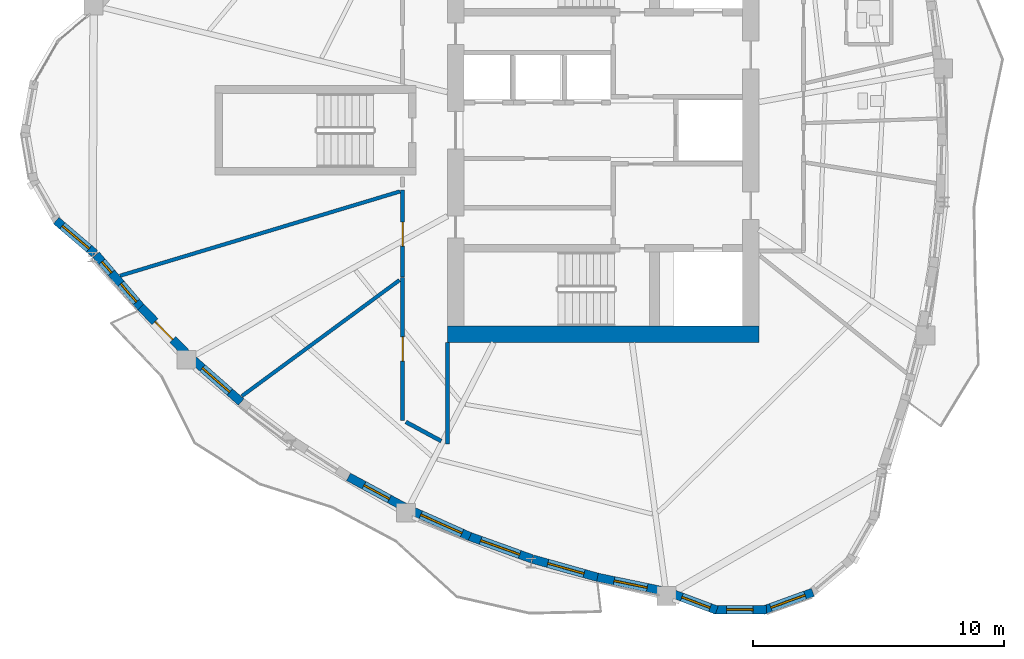
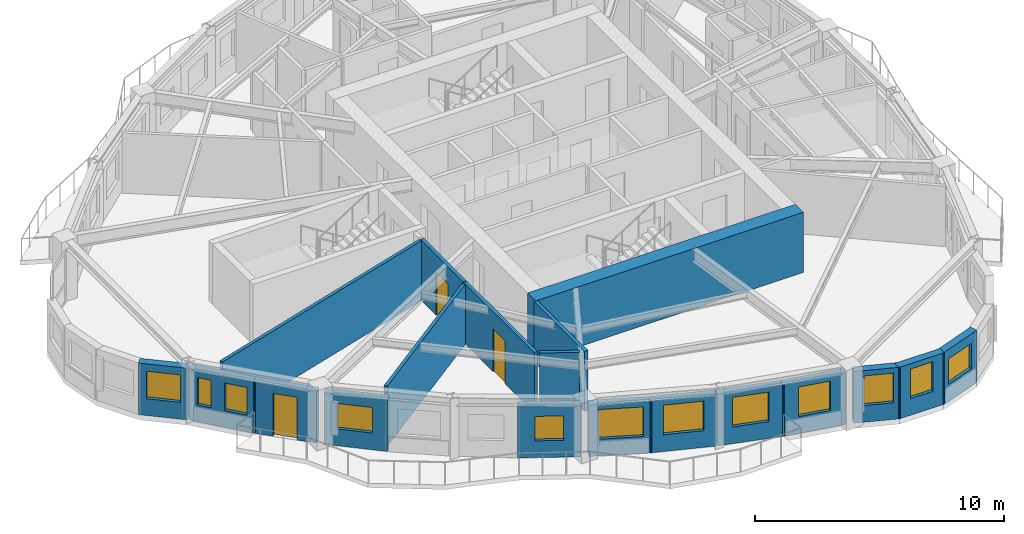
# One storey, part 4 of 13: 19 walls, 12 windows, 3 doors, 15 openings.
"""IFC4 building model written with IfcOpenShell, lengths in metres."""

from ifc_helpers import new_model, si_unit, direction, frame, frame_2d, origin, place, context, subcontext, project, spatial, rectangle, extrude, source, transform, mapped, material, layer, layer_set, type_object, element, fill, save


model = new_model("IFC4")

# Units and contexts
model_context = context("Model", 3, precision=1e-05, world=origin(), true_north=direction((0.0, 1.0)))
body_context = subcontext(model_context, "Body", "Model", "MODEL_VIEW")
ifc_project = project(units=[si_unit("LENGTHUNIT", "METRE"), si_unit("AREAUNIT", "SQUARE_METRE"), si_unit("VOLUMEUNIT", "CUBIC_METRE"), si_unit("PLANEANGLEUNIT", "RADIAN"), si_unit("MASSUNIT", "GRAM", prefix="KILO")], contexts=[model_context])

# Site, building, storey
site_placement = place(None, origin())
site = spatial("IfcSite", under=ifc_project, at=site_placement, CompositionType="ELEMENT")
building_placement = place(site_placement, origin())
building = spatial("IfcBuilding", under=site, at=building_placement, Name="Qafzar Sky-Pleat Residences", CompositionType="ELEMENT")
storey_placement = place(building_placement, frame((0.0, 0.0, 136.199951171875)))
storey = spatial("IfcBuildingStorey", under=building, at=storey_placement, Name="L40", CompositionType="ELEMENT", Elevation=136.199951171875)

# Wall, opening, door
ifc_material_1 = material(Name="Acoustic gypsum plasterboard partition", Category="gypsum")
ifc_layer_1 = layer(ifc_material_1, 0.159912109375)
ifc_layer_set_1 = layer_set([ifc_layer_1], Name="Acoustic gypsum plasterboard partition")
wall_type_1 = type_object("IfcWallType", Name="PART-COR-160", PredefinedType="PARTITIONING", material=ifc_layer_set_1)
wall_1_placement = place(storey_placement, frame((22.3701171875, 20.14794921875, 0.0), z_axis=(0.0, 0.0, 1.0), x_axis=(0.0, -1.0, 0.0)))
wall_1 = element("IfcWall", 1, at=wall_1_placement, inside=storey, type_object=wall_type_1, Name="L40 Partition Wall PART-L40-PW-001", PredefinedType="PARTITIONING", context=body_context, shape_type="SweptSolid", body=[
    extrude(rectangle(XDim=5.69287109375, YDim=0.159912109375, at=frame_2d((2.846435546875, 0.0))), origin(), (0.0, 0.0, 1.0), 2.949951171875),
])
opening_1_placement = place(wall_1_placement, frame((2.37548828125, 0.0, 0.0)))
opening_1 = element("IfcOpeningElement", 2, at=opening_1_placement, cuts=wall_1, Name="Opening ID-06", PredefinedType="OPENING", context=body_context, shape_type="SweptSolid", body=[
    extrude(rectangle(XDim=0.9599609375, YDim=2.10009765625, at=frame_2d((0.47998046875, 1.050048828125))), frame((0.0, 0.08984375, 0.0), z_axis=(0.0, -1.0, 0.0), x_axis=(1.0, 0.0, 0.0)), (0.0, 0.0, 1.0), 0.179931640625),
])
ifc_material_2 = material(Name="Timber-faced fire door", Category="wood")
door_type_1 = type_object("IfcDoorType", Name="DR-STD-960", OperationType="NOTDEFINED", PredefinedType="DOOR", material=ifc_material_2)
shared_shape_1 = source(origin(), body_context, "Body", "SweptSolid", [
    extrude(rectangle(XDim=0.9599609375, YDim=2.10009765625, at=frame_2d((0.47998046875, 1.050048828125))), frame((0.0, 0.02490234375, 0.0), z_axis=(0.0, -1.0, 0.0), x_axis=(1.0, 0.0, 0.0)), (0.0, 0.0, 1.0), 0.050048828125),
])
door_1_placement = place(opening_1_placement, origin())
door_1 = element("IfcDoor", 3, at=door_1_placement, inside=storey, type_object=door_type_1, Name="L40 Scholar Co-Working Workspace Door", OperationType="SINGLE_SWING_RIGHT", OverallHeight=2.10009765625, OverallWidth=0.9599609375, PredefinedType="DOOR", context=body_context, shape_type="MappedRepresentation", body=[
    mapped(shared_shape_1, transform((0.0, 0.0, 0.0), x_axis=(1.0, 0.0, 0.0), y_axis=(0.0, 1.0, 0.0), z_axis=(0.0, 0.0, 1.0), scale=1.0)),
])
fill(opening_1, door_1)

wall_2_placement = place(storey_placement, frame((22.3701171875, 20.1630859375, 0.0), z_axis=(0.0, 0.0, 1.0), x_axis=(0.0, 1.0, 0.0)))
wall_2 = element("IfcWall", 4, at=wall_2_placement, inside=storey, type_object=wall_type_1, Name="L40 Partition Wall PART-L40-PW-007", PredefinedType="PARTITIONING", context=body_context, shape_type="SweptSolid", body=[
    extrude(rectangle(XDim=3.449951171875, YDim=0.159912109375, at=frame_2d((1.72509765625, 0.0))), origin(), (0.0, 0.0, 1.0), 2.949951171875),
])
opening_2_placement = place(wall_2_placement, frame((1.220947265625, 0.0, 0.0)))
opening_2 = element("IfcOpeningElement", 5, at=opening_2_placement, cuts=wall_2, Name="Opening ID-06", PredefinedType="OPENING", context=body_context, shape_type="SweptSolid", body=[
    extrude(rectangle(XDim=0.9599609375, YDim=2.10009765625, at=frame_2d((0.47998046875, 1.050048828125))), frame((0.0, 0.08984375, 0.0), z_axis=(0.0, -1.0, 0.0), x_axis=(1.0, 0.0, 0.0)), (0.0, 0.0, 1.0), 0.179931640625),
])
door_2_placement = place(opening_2_placement, origin())
door_2 = element("IfcDoor", 6, at=door_2_placement, inside=storey, type_object=door_type_1, Name="L40 Wellness Yoga Studio Door", OperationType="SINGLE_SWING_LEFT", OverallHeight=2.10009765625, OverallWidth=0.9599609375, PredefinedType="DOOR", context=body_context, shape_type="MappedRepresentation", body=[
    mapped(shared_shape_1, transform((0.0, 0.0, 0.0), x_axis=(1.0, 0.0, 0.0), y_axis=(0.0, 1.0, 0.0), z_axis=(0.0, 0.0, 1.0), scale=1.0)),
])
fill(opening_2, door_2)

# Walls
wall_3_placement = place(storey_placement, frame((24.14990234375, 13.51611328125, 0.0), z_axis=(0.0, 0.0, 1.0), x_axis=(0.0, 1.0, 0.0)))
element("IfcWall", 7, at=wall_3_placement, inside=storey, type_object=wall_type_1, Name="L40 Partition Wall PART-L40-PW-025", PredefinedType="PARTITIONING", context=body_context, shape_type="SweptSolid", body=[
    extrude(rectangle(XDim=4.02587890625, YDim=0.159912109375, at=frame_2d((2.012939453125, 0.0))), origin(), (0.0, 0.0, 1.0), 2.949951171875),
])
wall_4_placement = place(storey_placement, frame((22.4951171875, 14.387451171875, 0.0), z_axis=(0.0, 0.0, 1.0), x_axis=(0.879618674253, -0.475679501245, 0.0)))
element("IfcWall", 8, at=wall_4_placement, inside=storey, type_object=wall_type_1, Name="L40 Partition Wall PART-L40-PW-037", PredefinedType="PARTITIONING", context=body_context, shape_type="SweptSolid", body=[
    extrude(rectangle(XDim=1.602783203125, YDim=0.159912109375, at=frame_2d((0.80126953125, 0.0))), origin(), (0.0, 0.0, 1.0), 2.949951171875),
])
ifc_layer_2 = layer(ifc_material_1, 0.14501953125)
ifc_layer_set_2 = layer_set([ifc_layer_2], Name="Acoustic gypsum plasterboard partition")
wall_type_2 = type_object("IfcWallType", Name="PART-UNIT-145", PredefinedType="PARTITIONING", material=ifc_layer_set_2)
wall_5_placement = place(storey_placement, frame((11.112548828125, 20.20849609375, 0.0), z_axis=(0.0, 0.0, 1.0), x_axis=(0.957541878855, 0.288294207778, 0.0)))
element("IfcWall", 9, at=wall_5_placement, inside=storey, type_object=wall_type_2, Name="L40 Partition Wall PART-L40-PW-014", PredefinedType="PARTITIONING", context=body_context, shape_type="SweptSolid", body=[
    extrude(rectangle(XDim=11.643310546875, YDim=0.14501953125, at=frame_2d((5.82177734375, 0.0))), origin(), (0.0, 0.0, 1.0), 2.949951171875),
])
wall_6_placement = place(storey_placement, frame((15.96240234375, 15.416015625, 0.0), z_axis=(0.0, 0.0, 1.0), x_axis=(0.805487856374, 0.59261227901, 0.0)))
element("IfcWall", 10, at=wall_6_placement, inside=storey, type_object=wall_type_2, Name="L40 Partition Wall PART-L40-PW-016", PredefinedType="PARTITIONING", context=body_context, shape_type="SweptSolid", body=[
    extrude(rectangle(XDim=7.794189453125, YDim=0.14501953125, at=frame_2d((3.89697265625, 0.0))), origin(), (0.0, 0.0, 1.0), 2.949951171875),
])

# Wall, opening, window
ifc_material_3 = material(Name="Precast concrete C40/50 with honed Riyadh limestone", Category="concrete")
ifc_layer_3 = layer(ifc_material_3, 0.340087890625)
ifc_layer_set_3 = layer_set([ifc_layer_3], Name="Precast concrete C40/50 with honed Riyadh limestone")
wall_type_3 = type_object("IfcWallType", Name="WALL-EXT-340", PredefinedType="SOLIDWALL", material=ifc_layer_set_3)
wall_7_placement = place(storey_placement, frame((8.57275390625, 22.406005859375, 0.0), z_axis=(0.0, 0.0, 1.0), x_axis=(0.760379886087, -0.649478582276, 0.0)))
wall_7 = element("IfcWall", 11, at=wall_7_placement, inside=storey, type_object=wall_type_3, Name="L40 Limestone Facade Wall 6", PredefinedType="SOLIDWALL", context=body_context, shape_type="SweptSolid", body=[
    extrude(rectangle(XDim=2.023193359375, YDim=0.340087890625, at=frame_2d((1.01171875, 0.0))), origin(), (0.0, 0.0, 1.0), 2.530029296875),
])
opening_3_placement = place(wall_7_placement, frame((0.321533203125, 0.0, 0.820068359375)))
opening_3 = element("IfcOpeningElement", 12, at=opening_3_placement, cuts=wall_7, Name="Opening WN-10", PredefinedType="OPENING", context=body_context, shape_type="SweptSolid", body=[
    extrude(rectangle(XDim=1.39990234375, YDim=1.35009765625, at=frame_2d((0.699951171875, 0.675048828125))), frame((0.0, 0.18017578125, 0.0), z_axis=(0.0, -1.0, 0.0), x_axis=(1.0, 0.0, 0.0)), (0.0, 0.0, 1.0), 0.360107421875),
])
ifc_material_4 = material(Name="Solar-control low-E glass in bronze aluminium frame", Category="glass")
window_type_1 = type_object("IfcWindowType", Name="WIN-10", PartitioningType="SINGLE_PANEL", PredefinedType="WINDOW", material=ifc_material_4)
shared_shape_2 = source(origin(), body_context, "Body", "SweptSolid", [
    extrude(rectangle(XDim=1.39990234375, YDim=1.35009765625, at=frame_2d((0.699951171875, 0.675048828125))), frame((0.0, 0.030029296875, 0.0), z_axis=(0.0, -1.0, 0.0), x_axis=(1.0, 0.0, 0.0)), (0.0, 0.0, 1.0), 0.06005859375),
])
window_1_placement = place(opening_3_placement, origin())
window_1 = element("IfcWindow", 13, at=window_1_placement, inside=storey, type_object=window_type_1, Name="L40 Punched Facade Window 06", OverallHeight=1.35009765625, OverallWidth=1.39990234375, PartitioningType="SINGLE_PANEL", PredefinedType="WINDOW", context=body_context, shape_type="MappedRepresentation", body=[
    mapped(shared_shape_2, transform((0.0, 0.0, 0.0), x_axis=(1.0, 0.0, 0.0), y_axis=(0.0, 1.0, 0.0), z_axis=(0.0, 0.0, 1.0), scale=1.0)),
])
fill(opening_3, window_1)

# Wall, openings, windows
wall_8_placement = place(storey_placement, frame((10.157958984375, 21.045166015625, 0.0), z_axis=(0.0, 0.0, 1.0), x_axis=(0.650385352329, -0.759604432238, 0.0)))
wall_8 = element("IfcWall", 14, at=wall_8_placement, inside=storey, type_object=wall_type_3, Name="L40 Limestone Facade Wall 7", PredefinedType="SOLIDWALL", context=body_context, shape_type="SweptSolid", body=[
    extrude(rectangle(XDim=2.8232421875, YDim=0.340087890625, at=frame_2d((1.41162109375, 0.0))), origin(), (0.0, 0.0, 1.0), 2.530029296875),
])
opening_4_placement = place(wall_8_placement, frame((0.363525390625, 0.0, 0.820068359375)))
opening_4 = element("IfcOpeningElement", 15, at=opening_4_placement, cuts=wall_8, Name="Opening WN-17", PredefinedType="OPENING", context=body_context, shape_type="SweptSolid", body=[
    extrude(rectangle(XDim=0.580078125, YDim=1.35009765625, at=frame_2d((0.2900390625, 0.675048828125))), frame((0.0, 0.18017578125, 0.0), z_axis=(0.0, -1.0, 0.0), x_axis=(1.0, 0.0, 0.0)), (0.0, 0.0, 1.0), 0.360107421875),
])
opening_5_placement = place(wall_8_placement, frame((1.520263671875, 0.0, 0.820068359375)))
opening_5 = element("IfcOpeningElement", 16, at=opening_5_placement, cuts=wall_8, Name="Opening WN-12", PredefinedType="OPENING", context=body_context, shape_type="SweptSolid", body=[
    extrude(rectangle(XDim=0.949951171875, YDim=1.35009765625, at=frame_2d((0.47509765625, 0.675048828125))), frame((0.0, 0.18017578125, 0.0), z_axis=(0.0, -1.0, 0.0), x_axis=(1.0, 0.0, 0.0)), (0.0, 0.0, 1.0), 0.360107421875),
])
window_type_2 = type_object("IfcWindowType", Name="WIN-12", PartitioningType="SINGLE_PANEL", PredefinedType="WINDOW", material=ifc_material_4)
shared_shape_3 = source(origin(), body_context, "Body", "SweptSolid", [
    extrude(rectangle(XDim=0.949951171875, YDim=1.35009765625, at=frame_2d((0.47509765625, 0.675048828125))), frame((0.0, 0.030029296875, 0.0), z_axis=(0.0, -1.0, 0.0), x_axis=(1.0, 0.0, 0.0)), (0.0, 0.0, 1.0), 0.06005859375),
])
window_2_placement = place(opening_5_placement, origin())
window_2 = element("IfcWindow", 17, at=window_2_placement, inside=storey, type_object=window_type_2, Name="L40 Punched Facade Window 07-2", OverallHeight=1.35009765625, OverallWidth=0.949951171875, PartitioningType="SINGLE_PANEL", PredefinedType="WINDOW", context=body_context, shape_type="MappedRepresentation", body=[
    mapped(shared_shape_3, transform((0.0, 0.0, 0.0), x_axis=(1.0, 0.0, 0.0), y_axis=(0.0, 1.0, 0.0), z_axis=(0.0, 0.0, 1.0), scale=1.0)),
])
fill(opening_5, window_2)
window_type_3 = type_object("IfcWindowType", Name="WIN-17", PartitioningType="SINGLE_PANEL", PredefinedType="WINDOW", material=ifc_material_4)
shared_shape_4 = source(origin(), body_context, "Body", "SweptSolid", [
    extrude(rectangle(XDim=0.580078125, YDim=1.35009765625, at=frame_2d((0.2900390625, 0.675048828125))), frame((0.0, 0.030029296875, 0.0), z_axis=(0.0, -1.0, 0.0), x_axis=(1.0, 0.0, 0.0)), (0.0, 0.0, 1.0), 0.06005859375),
])
window_3_placement = place(opening_4_placement, origin())
window_3 = element("IfcWindow", 18, at=window_3_placement, inside=storey, type_object=window_type_3, Name="L40 Punched Facade Window 07", OverallHeight=1.35009765625, OverallWidth=0.580078125, PartitioningType="SINGLE_PANEL", PredefinedType="WINDOW", context=body_context, shape_type="MappedRepresentation", body=[
    mapped(shared_shape_4, transform((0.0, 0.0, 0.0), x_axis=(1.0, 0.0, 0.0), y_axis=(0.0, 1.0, 0.0), z_axis=(0.0, 0.0, 1.0), scale=1.0)),
])
fill(opening_4, window_3)

# Wall, opening, door
wall_9_placement = place(storey_placement, frame((11.934814453125, 18.965087890625, 0.0), z_axis=(0.0, 0.0, 1.0), x_axis=(0.701560003197, -0.712610385775, 0.0)))
wall_9 = element("IfcWall", 19, at=wall_9_placement, inside=storey, type_object=wall_type_3, Name="L40 Limestone Facade Wall 8", PredefinedType="SOLIDWALL", context=body_context, shape_type="SweptSolid", body=[
    extrude(rectangle(XDim=2.629150390625, YDim=0.340087890625, at=frame_2d((1.314453125, 0.0))), origin(), (0.0, 0.0, 1.0), 2.530029296875),
])
opening_6_placement = place(wall_9_placement, frame((0.814697265625, 0.0, 0.0)))
opening_6 = element("IfcOpeningElement", 20, at=opening_6_placement, cuts=wall_9, Name="Opening ED-05", PredefinedType="OPENING", context=body_context, shape_type="SweptSolid", body=[
    extrude(rectangle(XDim=1.0, YDim=2.10009765625, at=frame_2d((0.5, 1.050048828125))), frame((0.0, 0.18017578125, 0.0), z_axis=(0.0, -1.0, 0.0), x_axis=(1.0, 0.0, 0.0)), (0.0, 0.0, 1.0), 0.360107421875),
])
ifc_material_5 = material(Name="Glazed bronze aluminium door", Category="aluminium")
door_type_2 = type_object("IfcDoorType", Name="DR-BAL-1000", OperationType="NOTDEFINED", PredefinedType="DOOR", material=ifc_material_5)
shared_shape_5 = source(origin(), body_context, "Body", "SweptSolid", [
    extrude(rectangle(XDim=1.0, YDim=2.10009765625, at=frame_2d((0.5, 1.050048828125))), frame((0.0, 0.02490234375, 0.0), z_axis=(0.0, -1.0, 0.0), x_axis=(1.0, 0.0, 0.0)), (0.0, 0.0, 1.0), 0.050048828125),
])
door_3_placement = place(opening_6_placement, origin())
door_3 = element("IfcDoor", 21, at=door_3_placement, inside=storey, type_object=door_type_2, Name="L40 Glazed Balcony Door 3", OperationType="SINGLE_SWING_LEFT", OverallHeight=2.10009765625, OverallWidth=1.0, PredefinedType="DOOR", context=body_context, shape_type="MappedRepresentation", body=[
    mapped(shared_shape_5, transform((0.0, 0.0, 0.0), x_axis=(1.0, 0.0, 0.0), y_axis=(0.0, 1.0, 0.0), z_axis=(0.0, 0.0, 1.0), scale=1.0)),
])
fill(opening_6, door_3)

# Wall, opening, window
wall_10_placement = place(storey_placement, frame((13.99560546875, 16.88720703125, 0.0), z_axis=(0.0, 0.0, 1.0), x_axis=(0.75116489845, -0.660114607729, 0.0)))
wall_10 = element("IfcWall", 22, at=wall_10_placement, inside=storey, type_object=wall_type_3, Name="L40 Limestone Facade Wall 9", PredefinedType="SOLIDWALL", context=body_context, shape_type="SweptSolid", body=[
    extrude(rectangle(XDim=2.5849609375, YDim=0.340087890625, at=frame_2d((1.29248046875, 0.0))), origin(), (0.0, 0.0, 1.0), 2.530029296875),
])
opening_7_placement = place(wall_10_placement, frame((0.530517578125, 0.0, 0.820068359375)))
opening_7 = element("IfcOpeningElement", 23, at=opening_7_placement, cuts=wall_10, Name="Opening WN-15", PredefinedType="OPENING", context=body_context, shape_type="SweptSolid", body=[
    extrude(rectangle(XDim=1.449951171875, YDim=1.25, at=frame_2d((0.72509765625, 0.625))), frame((0.0, 0.18017578125, 0.0), z_axis=(0.0, -1.0, 0.0), x_axis=(1.0, 0.0, 0.0)), (0.0, 0.0, 1.0), 0.360107421875),
])
window_type_4 = type_object("IfcWindowType", Name="WIN-15", PartitioningType="SINGLE_PANEL", PredefinedType="WINDOW", material=ifc_material_4)
shared_shape_6 = source(origin(), body_context, "Body", "SweptSolid", [
    extrude(rectangle(XDim=1.449951171875, YDim=1.25, at=frame_2d((0.72509765625, 0.625))), frame((0.0, 0.030029296875, 0.0), z_axis=(0.0, -1.0, 0.0), x_axis=(1.0, 0.0, 0.0)), (0.0, 0.0, 1.0), 0.06005859375),
])
window_4_placement = place(opening_7_placement, origin())
window_4 = element("IfcWindow", 24, at=window_4_placement, inside=storey, type_object=window_type_4, Name="L40 Punched Facade Window 09", OverallHeight=1.25, OverallWidth=1.449951171875, PartitioningType="SINGLE_PANEL", PredefinedType="WINDOW", context=body_context, shape_type="MappedRepresentation", body=[
    mapped(shared_shape_6, transform((0.0, 0.0, 0.0), x_axis=(1.0, 0.0, 0.0), y_axis=(0.0, 1.0, 0.0), z_axis=(0.0, 0.0, 1.0), scale=1.0)),
])
fill(opening_7, window_4)

wall_11_placement = place(storey_placement, frame((20.210205078125, 12.2001953125, 0.0), z_axis=(0.0, 0.0, 1.0), x_axis=(0.879824982307, -0.475297801918, 0.0)))
wall_11 = element("IfcWall", 25, at=wall_11_placement, inside=storey, type_object=wall_type_3, Name="L40 Limestone Facade Wall 12", PredefinedType="SOLIDWALL", context=body_context, shape_type="SweptSolid", body=[
    extrude(rectangle(XDim=2.5390625, YDim=0.340087890625, at=frame_2d((1.26953125, 0.0))), origin(), (0.0, 0.0, 1.0), 2.530029296875),
])
opening_8_placement = place(wall_11_placement, frame((0.69970703125, 0.0, 0.820068359375)))
opening_8 = element("IfcOpeningElement", 26, at=opening_8_placement, cuts=wall_11, Name="Opening WN-16", PredefinedType="OPENING", context=body_context, shape_type="SweptSolid", body=[
    extrude(rectangle(XDim=1.14990234375, YDim=1.199951171875, at=frame_2d((0.574951171875, 0.60009765625))), frame((0.0, 0.18017578125, 0.0), z_axis=(0.0, -1.0, 0.0), x_axis=(1.0, 0.0, 0.0)), (0.0, 0.0, 1.0), 0.360107421875),
])
window_type_5 = type_object("IfcWindowType", Name="WIN-16", PartitioningType="SINGLE_PANEL", PredefinedType="WINDOW", material=ifc_material_4)
shared_shape_7 = source(origin(), body_context, "Body", "SweptSolid", [
    extrude(rectangle(XDim=1.14990234375, YDim=1.199951171875, at=frame_2d((0.574951171875, 0.60009765625))), frame((0.0, 0.030029296875, 0.0), z_axis=(0.0, -1.0, 0.0), x_axis=(1.0, 0.0, 0.0)), (0.0, 0.0, 1.0), 0.06005859375),
])
window_5_placement = place(opening_8_placement, origin())
window_5 = element("IfcWindow", 27, at=window_5_placement, inside=storey, type_object=window_type_5, Name="L40 Punched Facade Window 12", OverallHeight=1.199951171875, OverallWidth=1.14990234375, PartitioningType="SINGLE_PANEL", PredefinedType="WINDOW", context=body_context, shape_type="MappedRepresentation", body=[
    mapped(shared_shape_7, transform((0.0, 0.0, 0.0), x_axis=(1.0, 0.0, 0.0), y_axis=(0.0, 1.0, 0.0), z_axis=(0.0, 0.0, 1.0), scale=1.0)),
])
fill(opening_8, window_5)

wall_12_placement = place(storey_placement, frame((22.710693359375, 10.8623046875, 0.0), z_axis=(0.0, 0.0, 1.0), x_axis=(0.913215380704, -0.40747719991, 0.0)))
wall_12 = element("IfcWall", 28, at=wall_12_placement, inside=storey, type_object=wall_type_3, Name="L40 Limestone Facade Wall 13", PredefinedType="SOLIDWALL", context=body_context, shape_type="SweptSolid", body=[
    extrude(rectangle(XDim=2.55419921875, YDim=0.340087890625, at=frame_2d((1.277099609375, 0.0))), origin(), (0.0, 0.0, 1.0), 2.530029296875),
])
opening_9_placement = place(wall_12_placement, frame((0.412109375, 0.0, 0.820068359375)))
opening_9 = element("IfcOpeningElement", 29, at=opening_9_placement, cuts=wall_12, Name="Opening WN-01", PredefinedType="OPENING", context=body_context, shape_type="SweptSolid", body=[
    extrude(rectangle(XDim=1.800048828125, YDim=1.449951171875, at=frame_2d((0.89990234375, 0.72509765625))), frame((0.0, 0.18017578125, 0.0), z_axis=(0.0, -1.0, 0.0), x_axis=(1.0, 0.0, 0.0)), (0.0, 0.0, 1.0), 0.360107421875),
])
window_type_6 = type_object("IfcWindowType", Name="WIN-01", PartitioningType="DOUBLE_PANEL_VERTICAL", PredefinedType="WINDOW", material=ifc_material_4)
shared_shape_8 = source(origin(), body_context, "Body", "SweptSolid", [
    extrude(rectangle(XDim=1.800048828125, YDim=1.449951171875, at=frame_2d((0.89990234375, 0.72509765625))), frame((0.0, 0.030029296875, 0.0), z_axis=(0.0, -1.0, 0.0), x_axis=(1.0, 0.0, 0.0)), (0.0, 0.0, 1.0), 0.06005859375),
])
window_6_placement = place(opening_9_placement, origin())
window_6 = element("IfcWindow", 30, at=window_6_placement, inside=storey, type_object=window_type_6, Name="L40 Punched Facade Window 13", OverallHeight=1.449951171875, OverallWidth=1.800048828125, PartitioningType="SINGLE_PANEL", PredefinedType="WINDOW", context=body_context, shape_type="MappedRepresentation", body=[
    mapped(shared_shape_8, transform((0.0, 0.0, 0.0), x_axis=(1.0, 0.0, 0.0), y_axis=(0.0, 1.0, 0.0), z_axis=(0.0, 0.0, 1.0), scale=1.0)),
])
fill(opening_9, window_6)

wall_13_placement = place(storey_placement, frame((24.961181640625, 9.8544921875, 0.0), z_axis=(0.0, 0.0, 1.0), x_axis=(0.940920595733, -0.338627276701, 0.0)))
wall_13 = element("IfcWall", 31, at=wall_13_placement, inside=storey, type_object=wall_type_3, Name="L40 Limestone Facade Wall 14", PredefinedType="SOLIDWALL", context=body_context, shape_type="SweptSolid", body=[
    extrude(rectangle(XDim=2.719482421875, YDim=0.340087890625, at=frame_2d((1.35986328125, 0.0))), origin(), (0.0, 0.0, 1.0), 2.530029296875),
])
opening_10_placement = place(wall_13_placement, frame((0.544921875, 0.0, 0.820068359375)))
opening_10 = element("IfcOpeningElement", 32, at=opening_10_placement, cuts=wall_13, Name="Opening WN-02", PredefinedType="OPENING", context=body_context, shape_type="SweptSolid", body=[
    extrude(rectangle(XDim=1.64990234375, YDim=1.449951171875, at=frame_2d((0.824951171875, 0.72509765625))), frame((0.0, 0.18017578125, 0.0), z_axis=(0.0, -1.0, 0.0), x_axis=(1.0, 0.0, 0.0)), (0.0, 0.0, 1.0), 0.360107421875),
])
window_type_7 = type_object("IfcWindowType", Name="WIN-02", PartitioningType="DOUBLE_PANEL_VERTICAL", PredefinedType="WINDOW", material=ifc_material_4)
shared_shape_9 = source(origin(), body_context, "Body", "SweptSolid", [
    extrude(rectangle(XDim=1.64990234375, YDim=1.449951171875, at=frame_2d((0.824951171875, 0.72509765625))), frame((0.0, 0.030029296875, 0.0), z_axis=(0.0, -1.0, 0.0), x_axis=(1.0, 0.0, 0.0)), (0.0, 0.0, 1.0), 0.06005859375),
])
window_7_placement = place(opening_10_placement, origin())
window_7 = element("IfcWindow", 33, at=window_7_placement, inside=storey, type_object=window_type_7, Name="L40 Punched Facade Window 14", OverallHeight=1.449951171875, OverallWidth=1.64990234375, PartitioningType="SINGLE_PANEL", PredefinedType="WINDOW", context=body_context, shape_type="MappedRepresentation", body=[
    mapped(shared_shape_9, transform((0.0, 0.0, 0.0), x_axis=(1.0, 0.0, 0.0), y_axis=(0.0, 1.0, 0.0), z_axis=(0.0, 0.0, 1.0), scale=1.0)),
])
fill(opening_10, window_7)

wall_14_placement = place(storey_placement, frame((27.54638671875, 8.925048828125, 0.0), z_axis=(0.0, 0.0, 1.0), x_axis=(0.962897957222, -0.269865751767, 0.0)))
wall_14 = element("IfcWall", 34, at=wall_14_placement, inside=storey, type_object=wall_type_3, Name="L40 Limestone Facade Wall 15", PredefinedType="SOLIDWALL", context=body_context, shape_type="SweptSolid", body=[
    extrude(rectangle(XDim=2.7646484375, YDim=0.340087890625, at=frame_2d((1.38232421875, 0.0))), origin(), (0.0, 0.0, 1.0), 2.530029296875),
])
opening_11_placement = place(wall_14_placement, frame((0.622314453125, 0.0, 0.820068359375)))
opening_11 = element("IfcOpeningElement", 35, at=opening_11_placement, cuts=wall_14, Name="Opening WN-03", PredefinedType="OPENING", context=body_context, shape_type="SweptSolid", body=[
    extrude(rectangle(XDim=1.5, YDim=1.449951171875, at=frame_2d((0.75, 0.72509765625))), frame((0.0, 0.18017578125, 0.0), z_axis=(0.0, -1.0, 0.0), x_axis=(1.0, 0.0, 0.0)), (0.0, 0.0, 1.0), 0.360107421875),
])
window_type_8 = type_object("IfcWindowType", Name="WIN-03", PartitioningType="DOUBLE_PANEL_VERTICAL", PredefinedType="WINDOW", material=ifc_material_4)
shared_shape_10 = source(origin(), body_context, "Body", "SweptSolid", [
    extrude(rectangle(XDim=1.5, YDim=1.449951171875, at=frame_2d((0.75, 0.72509765625))), frame((0.0, 0.030029296875, 0.0), z_axis=(0.0, -1.0, 0.0), x_axis=(1.0, 0.0, 0.0)), (0.0, 0.0, 1.0), 0.06005859375),
])
window_8_placement = place(opening_11_placement, origin())
window_8 = element("IfcWindow", 36, at=window_8_placement, inside=storey, type_object=window_type_8, Name="L40 Punched Facade Window 15", OverallHeight=1.449951171875, OverallWidth=1.5, PartitioningType="SINGLE_PANEL", PredefinedType="WINDOW", context=body_context, shape_type="MappedRepresentation", body=[
    mapped(shared_shape_10, transform((0.0, 0.0, 0.0), x_axis=(1.0, 0.0, 0.0), y_axis=(0.0, 1.0, 0.0), z_axis=(0.0, 0.0, 1.0), scale=1.0)),
])
fill(opening_11, window_8)

wall_15_placement = place(storey_placement, frame((30.123291015625, 8.19970703125, 0.0), z_axis=(0.0, 0.0, 1.0), x_axis=(0.979331814777, -0.20226021993, 0.0)))
wall_15 = element("IfcWall", 37, at=wall_15_placement, inside=storey, type_object=wall_type_3, Name="L40 Limestone Facade Wall 16", PredefinedType="SOLIDWALL", context=body_context, shape_type="SweptSolid", body=[
    extrude(rectangle(XDim=2.688232421875, YDim=0.340087890625, at=frame_2d((1.34423828125, 0.0))), origin(), (0.0, 0.0, 1.0), 2.530029296875),
])
opening_12_placement = place(wall_15_placement, frame((0.674072265625, 0.0, 0.820068359375)))
opening_12 = element("IfcOpeningElement", 38, at=opening_12_placement, cuts=wall_15, Name="Opening WN-04", PredefinedType="OPENING", context=body_context, shape_type="SweptSolid", body=[
    extrude(rectangle(XDim=1.35009765625, YDim=1.449951171875, at=frame_2d((0.675048828125, 0.72509765625))), frame((0.0, 0.18017578125, 0.0), z_axis=(0.0, -1.0, 0.0), x_axis=(1.0, 0.0, 0.0)), (0.0, 0.0, 1.0), 0.360107421875),
])
window_type_9 = type_object("IfcWindowType", Name="WIN-04", PartitioningType="SINGLE_PANEL", PredefinedType="WINDOW", material=ifc_material_4)
shared_shape_11 = source(origin(), body_context, "Body", "SweptSolid", [
    extrude(rectangle(XDim=1.35009765625, YDim=1.449951171875, at=frame_2d((0.675048828125, 0.72509765625))), frame((0.0, 0.030029296875, 0.0), z_axis=(0.0, -1.0, 0.0), x_axis=(1.0, 0.0, 0.0)), (0.0, 0.0, 1.0), 0.06005859375),
])
window_9_placement = place(opening_12_placement, origin())
window_9 = element("IfcWindow", 39, at=window_9_placement, inside=storey, type_object=window_type_9, Name="L40 Punched Facade Window 16", OverallHeight=1.449951171875, OverallWidth=1.35009765625, PartitioningType="SINGLE_PANEL", PredefinedType="WINDOW", context=body_context, shape_type="MappedRepresentation", body=[
    mapped(shared_shape_11, transform((0.0, 0.0, 0.0), x_axis=(1.0, 0.0, 0.0), y_axis=(0.0, 1.0, 0.0), z_axis=(0.0, 0.0, 1.0), scale=1.0)),
])
fill(opening_12, window_9)

wall_16_placement = place(storey_placement, frame((33.077880859375, 7.563232421875, 0.0), z_axis=(0.0, 0.0, 1.0), x_axis=(0.936940595305, -0.349488656282, 0.0)))
wall_16 = element("IfcWall", 40, at=wall_16_placement, inside=storey, type_object=wall_type_3, Name="L40 Limestone Facade Wall 17", PredefinedType="SOLIDWALL", context=body_context, shape_type="SweptSolid", body=[
    extrude(rectangle(XDim=1.91552734375, YDim=0.340087890625, at=frame_2d((0.957763671875, 0.0))), origin(), (0.0, 0.0, 1.0), 2.530029296875),
])
opening_13_placement = place(wall_16_placement, frame((0.432861328125, 0.0, 0.820068359375)))
opening_13 = element("IfcOpeningElement", 41, at=opening_13_placement, cuts=wall_16, Name="Opening WN-05", PredefinedType="OPENING", context=body_context, shape_type="SweptSolid", body=[
    extrude(rectangle(XDim=1.199951171875, YDim=1.449951171875, at=frame_2d((0.60009765625, 0.72509765625))), frame((0.0, 0.18017578125, 0.0), z_axis=(0.0, -1.0, 0.0), x_axis=(1.0, 0.0, 0.0)), (0.0, 0.0, 1.0), 0.360107421875),
])
window_type_10 = type_object("IfcWindowType", Name="WIN-05", PartitioningType="SINGLE_PANEL", PredefinedType="WINDOW", material=ifc_material_4)
shared_shape_12 = source(origin(), body_context, "Body", "SweptSolid", [
    extrude(rectangle(XDim=1.199951171875, YDim=1.449951171875, at=frame_2d((0.60009765625, 0.72509765625))), frame((0.0, 0.030029296875, 0.0), z_axis=(0.0, -1.0, 0.0), x_axis=(1.0, 0.0, 0.0)), (0.0, 0.0, 1.0), 0.06005859375),
])
window_10_placement = place(opening_13_placement, origin())
window_10 = element("IfcWindow", 42, at=window_10_placement, inside=storey, type_object=window_type_10, Name="L40 Punched Facade Window 17", OverallHeight=1.449951171875, OverallWidth=1.199951171875, PartitioningType="SINGLE_PANEL", PredefinedType="WINDOW", context=body_context, shape_type="MappedRepresentation", body=[
    mapped(shared_shape_12, transform((0.0, 0.0, 0.0), x_axis=(1.0, 0.0, 0.0), y_axis=(0.0, 1.0, 0.0), z_axis=(0.0, 0.0, 1.0), scale=1.0)),
])
fill(opening_13, window_10)

wall_17_placement = place(storey_placement, frame((34.740478515625, 6.91796875, 0.0), z_axis=(0.0, 0.0, 1.0), x_axis=(0.9999881768, -0.004862742089, 0.0)))
wall_17 = element("IfcWall", 43, at=wall_17_placement, inside=storey, type_object=wall_type_3, Name="L40 Limestone Facade Wall 18", PredefinedType="SOLIDWALL", context=body_context, shape_type="SweptSolid", body=[
    extrude(rectangle(XDim=2.108642578125, YDim=0.340087890625, at=frame_2d((1.05419921875, 0.0))), origin(), (0.0, 0.0, 1.0), 2.530029296875),
])
opening_14_placement = place(wall_17_placement, frame((0.529296875, 0.0, 0.820068359375)))
opening_14 = element("IfcOpeningElement", 44, at=opening_14_placement, cuts=wall_17, Name="Opening WN-06", PredefinedType="OPENING", context=body_context, shape_type="SweptSolid", body=[
    extrude(rectangle(XDim=1.050048828125, YDim=1.449951171875, at=frame_2d((0.52490234375, 0.72509765625))), frame((0.0, 0.18017578125, 0.0), z_axis=(0.0, -1.0, 0.0), x_axis=(1.0, 0.0, 0.0)), (0.0, 0.0, 1.0), 0.360107421875),
])
window_type_11 = type_object("IfcWindowType", Name="WIN-06", PartitioningType="SINGLE_PANEL", PredefinedType="WINDOW", material=ifc_material_4)
shared_shape_13 = source(origin(), body_context, "Body", "SweptSolid", [
    extrude(rectangle(XDim=1.050048828125, YDim=1.449951171875, at=frame_2d((0.52490234375, 0.72509765625))), frame((0.0, 0.030029296875, 0.0), z_axis=(0.0, -1.0, 0.0), x_axis=(1.0, 0.0, 0.0)), (0.0, 0.0, 1.0), 0.06005859375),
])
window_11_placement = place(opening_14_placement, origin())
window_11 = element("IfcWindow", 45, at=window_11_placement, inside=storey, type_object=window_type_11, Name="L40 Punched Facade Window 18", OverallHeight=1.449951171875, OverallWidth=1.050048828125, PartitioningType="SINGLE_PANEL", PredefinedType="WINDOW", context=body_context, shape_type="MappedRepresentation", body=[
    mapped(shared_shape_13, transform((0.0, 0.0, 0.0), x_axis=(1.0, 0.0, 0.0), y_axis=(0.0, 1.0, 0.0), z_axis=(0.0, 0.0, 1.0), scale=1.0)),
])
fill(opening_14, window_11)

wall_18_placement = place(storey_placement, frame((36.716552734375, 6.884765625, 0.0), z_axis=(0.0, 0.0, 1.0), x_axis=(0.940242205015, 0.340506381597, 0.0)))
wall_18 = element("IfcWall", 46, at=wall_18_placement, inside=storey, type_object=wall_type_3, Name="L40 Limestone Facade Wall 19", PredefinedType="SOLIDWALL", context=body_context, shape_type="SweptSolid", body=[
    extrude(rectangle(XDim=2.108642578125, YDim=0.340087890625, at=frame_2d((1.05419921875, 0.0))), origin(), (0.0, 0.0, 1.0), 2.530029296875),
])
opening_15_placement = place(wall_18_placement, frame((0.329345703125, 0.0, 0.820068359375)))
opening_15 = element("IfcOpeningElement", 47, at=opening_15_placement, cuts=wall_18, Name="Opening WN-15", PredefinedType="OPENING", context=body_context, shape_type="SweptSolid", body=[
    extrude(rectangle(XDim=1.449951171875, YDim=1.25, at=frame_2d((0.72509765625, 0.625))), frame((0.0, 0.18017578125, 0.0), z_axis=(0.0, -1.0, 0.0), x_axis=(1.0, 0.0, 0.0)), (0.0, 0.0, 1.0), 0.360107421875),
])
window_12_placement = place(opening_15_placement, origin())
window_12 = element("IfcWindow", 48, at=window_12_placement, inside=storey, type_object=window_type_4, Name="L40 Punched Facade Window 19", OverallHeight=1.25, OverallWidth=1.449951171875, PartitioningType="SINGLE_PANEL", PredefinedType="WINDOW", context=body_context, shape_type="MappedRepresentation", body=[
    mapped(shared_shape_6, transform((0.0, 0.0, 0.0), x_axis=(1.0, 0.0, 0.0), y_axis=(0.0, 1.0, 0.0), z_axis=(0.0, 0.0, 1.0), scale=1.0)),
])
fill(opening_15, window_12)

# Wall
ifc_material_6 = material(Name="Concrete C60/75", Category="concrete")
ifc_layer_4 = layer(ifc_material_6, 0.64990234375)
ifc_layer_set_4 = layer_set([ifc_layer_4], Name="Concrete C60/75")
wall_type_4 = type_object("IfcWallType", Name="WALL-SHEAR-650", PredefinedType="SHEAR", material=ifc_layer_set_4)
wall_19_placement = place(storey_placement, frame((24.14990234375, 17.875, 0.0), z_axis=(0.0, 0.0, 1.0), x_axis=(1.0, 0.0, 0.0)))
element("IfcWall", 49, at=wall_19_placement, inside=storey, type_object=wall_type_4, Name="L40 CORE wall S", PredefinedType="SHEAR", context=body_context, shape_type="SweptSolid", body=[
    extrude(rectangle(XDim=12.400146484375, YDim=0.64990234375, at=frame_2d((6.2001953125, 0.0))), origin(), (0.0, 0.0, 1.0), 2.949951171875),
])

save(model, "model.ifc")
